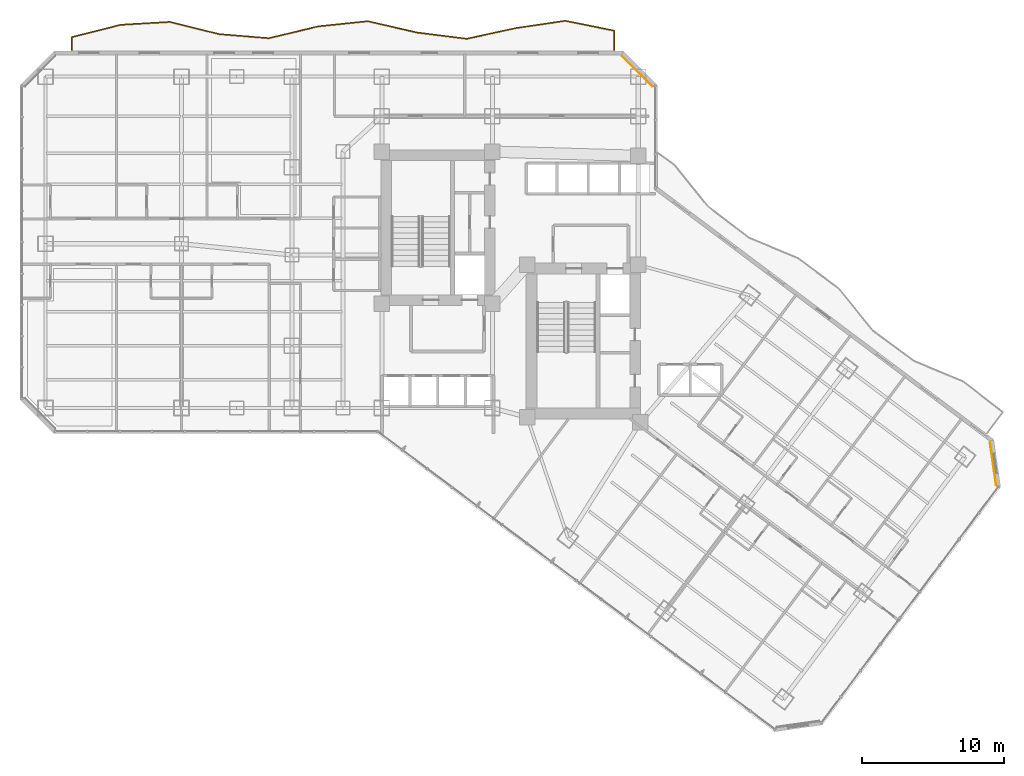
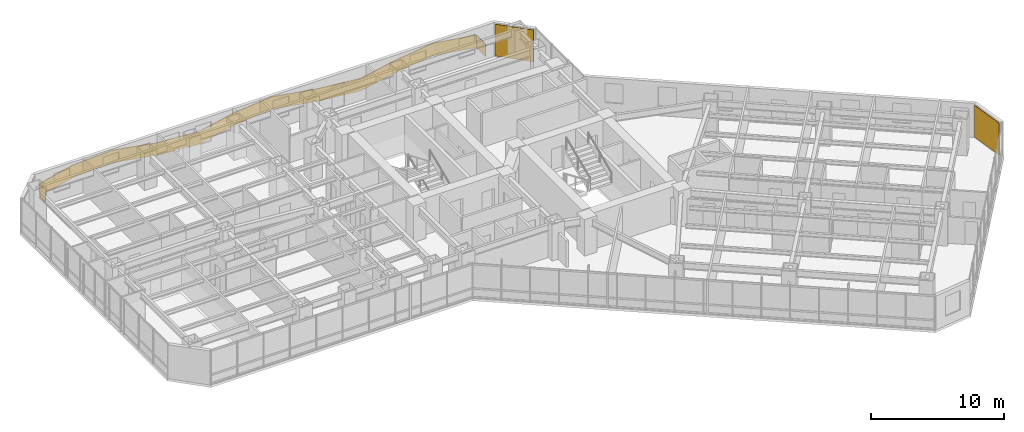
# One storey, part 38 of 38: 2 coverings, 1 railing.
"""IFC4 building model written with IfcOpenShell, lengths in metres."""

from ifc_helpers import new_model, si_unit, direction, frame, origin, origin_2d, place, context, subcontext, project, spatial, polyline, rectangle, outline, extrude, material, layer, layer_set, type_object, element, save


model = new_model("IFC4")

# Units and contexts
model_context = context("Model", 3, precision=1e-05, world=origin(), true_north=direction((0.0, 1.0)))
body_context = subcontext(model_context, "Body", "Model", "MODEL_VIEW")
ifc_project = project(units=[si_unit("LENGTHUNIT", "METRE"), si_unit("AREAUNIT", "SQUARE_METRE"), si_unit("VOLUMEUNIT", "CUBIC_METRE"), si_unit("PLANEANGLEUNIT", "RADIAN"), si_unit("MASSUNIT", "GRAM", prefix="KILO")], contexts=[model_context])

# Site, building, storey
site_placement = place(None, origin())
site = spatial("IfcSite", under=ifc_project, at=site_placement, CompositionType="ELEMENT")
building_placement = place(site_placement, origin())
building = spatial("IfcBuilding", under=site, at=building_placement, Name="Hatsunagi Terrace Concourse", CompositionType="ELEMENT")
storey_placement = place(building_placement, frame((0.0, 0.0, 63.39990234375)))
storey = spatial("IfcBuildingStorey", under=building, at=storey_placement, Name="L16", CompositionType="ELEMENT", Elevation=63.39990234375)

# Railing
ifc_material_1 = material(Name="Laminated Glass and Stainless Steel Guard", Category="steel")
ifc_layer_1 = layer(ifc_material_1, 0.070068359375)
ifc_layer_set_1 = layer_set([ifc_layer_1], Name="BalconyGlassGuardRail_1150")
railing_type = type_object("IfcRailingType", Name="BalconyGlassGuardRail_1150", PredefinedType="BALUSTRADE", material=ifc_layer_set_1)
railing_placement = place(storey_placement, origin())
element("IfcRailing", 1, at=railing_placement, inside=storey, type_object=railing_type, Name="Engawa Balcony Guard GRD-01 L16-BN-1", PredefinedType="BALUSTRADE", context=body_context, shape_type="SweptSolid", body=[
    extrude(outline(polyline([(3.614990234375, 50.449951171875), (3.68505859375, 50.449951171875), (3.68505859375, 51.357666015625), (7.1044921875, 52.222412109375), (10.57373046875, 52.4248046875), (14.059326171875, 51.562255859375), (17.57080078125, 51.275634765625), (21.06884765625, 52.11328125), (24.539794921875, 52.4755859375), (28.02099609375, 51.677490234375), (31.530517578125, 51.2333984375), (35.033203125, 51.99560546875), (38.507080078125, 52.505615234375), (41.9150390625, 51.8125), (41.9150390625, 50.449951171875), (41.985107421875, 50.449951171875), (41.985107421875, 51.86962890625), (38.509033203125, 52.576416015625), (35.020751953125, 52.064453125), (31.52734375, 51.304443359375), (28.033203125, 51.74658203125), (24.544189453125, 52.54638671875), (21.05712890625, 52.1826171875), (17.565185546875, 51.34619140625), (14.07080078125, 51.631591796875), (10.580322265625, 52.4951171875), (7.093505859375, 52.291748046875), (3.614990234375, 51.412353515625), (3.614990234375, 50.449951171875)])), origin(), (0.0, 0.0, 1.0), 1.150146484375),
])

# Coverings
ifc_material_2 = material(Name="Unglazed Warm Terracotta Rainscreen Tile", Category="masonry")
ifc_layer_2 = layer(ifc_material_2, 0.044921875)
ifc_layer_set_2 = layer_set([ifc_layer_2], Name="TerracottaRainscreenCladding_45")
covering_type = type_object("IfcCoveringType", Name="TerracottaRainscreenCladding_45", PredefinedType="CLADDING", material=ifc_layer_set_2)
for number, where, z_axis, x_axis, name in (
    (2, (68.700927734375, 21.258056640625, 0.10009765625), (0.0, 0.0, 1.0), (0.141250262458, -0.989973920543, 0.0), "Terracotta Rainscreen Cladding L16-02"),
    (3, (43.5859375, 48.986083984375, 0.10009765625), (0.0, 0.0, 1.0), (0.707106781187, -0.707106781187, 0.0), "Terracotta Rainscreen Cladding L16-12"),
):
    element("IfcCovering", number, at=place(storey_placement, frame(where, z_axis=z_axis, x_axis=x_axis)), inside=storey, type_object=covering_type, Name=name, PredefinedType="CLADDING", context=body_context, shape_type="SweptSolid", body=[
        extrude(rectangle(XDim=3.0380859375, YDim=0.044921875, at=origin_2d()), origin(), (0.0, 0.0, 1.0), 2.929931640625),
    ])

save(model, "model.ifc")
